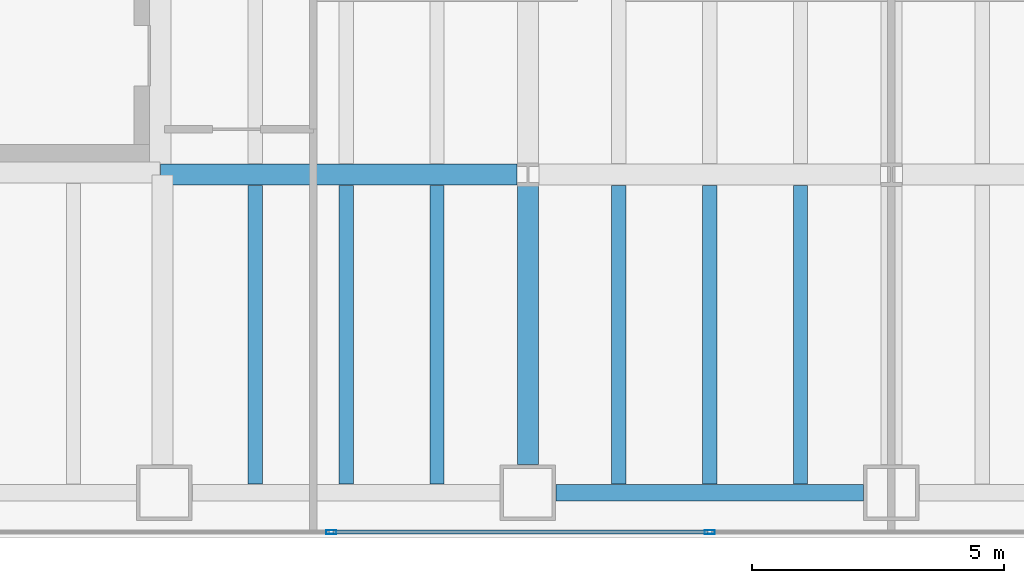
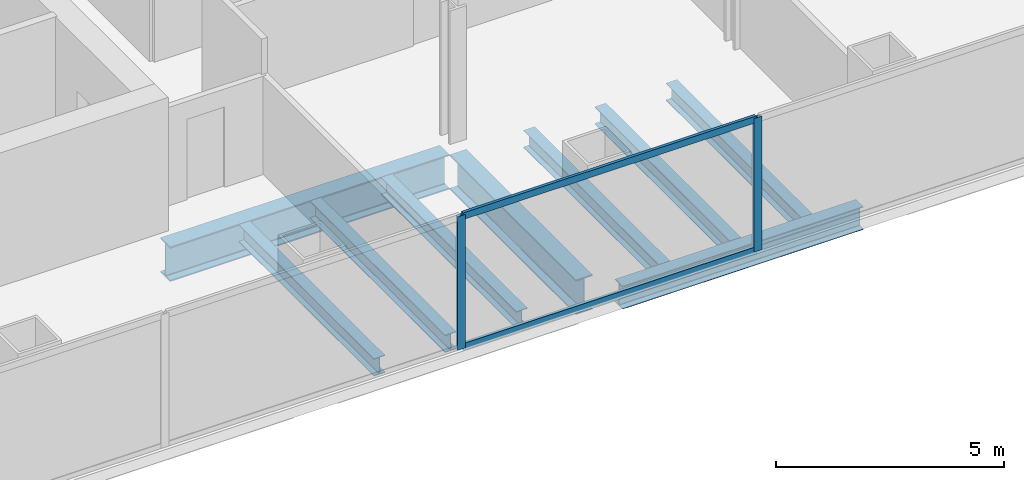
# One storey, part 4 of 23: 9 beams, 4 members, 1 element without a shape of its own.
"""IFC4 building model written with IfcOpenShell, lengths in metres."""

from ifc_helpers import new_model, si_unit, direction, frame, origin, origin_2d, place, context, subcontext, project, spatial, hollow_rectangle, i_section, extrude, material, material_profile, profile_set, type_object, element, aggregate, save


model = new_model("IFC4")

# Units and contexts
model_context = context("Model", 3, precision=1e-05, world=origin(), true_north=direction((0.0, 1.0)))
body_context = subcontext(model_context, "Body", "Model", "MODEL_VIEW")
ifc_project = project(units=[si_unit("LENGTHUNIT", "METRE"), si_unit("AREAUNIT", "SQUARE_METRE"), si_unit("VOLUMEUNIT", "CUBIC_METRE"), si_unit("PLANEANGLEUNIT", "RADIAN"), si_unit("MASSUNIT", "GRAM", prefix="KILO")], contexts=[model_context])

# Site, building, storey
site_placement = place(None, origin())
site = spatial("IfcSite", under=ifc_project, at=site_placement, CompositionType="ELEMENT")
building_placement = place(site_placement, origin())
building = spatial("IfcBuilding", under=site, at=building_placement, Name="Cobrela Telecom Tower", CompositionType="ELEMENT")
storey_placement = place(building_placement, frame((0.0, 0.0, 38.85009765625)))
storey = spatial("IfcBuildingStorey", under=building, at=storey_placement, Name="L09", CompositionType="ELEMENT", Elevation=38.85009765625)

# Beams
ifc_material_1 = material(Name="Steel ASTM A992 Grade 50", Category="steel")
ifc_material_profile_1 = material_profile(ifc_material_1, i_section(OverallWidth=0.4189453125, OverallDepth=0.927001953125, WebThickness=0.019287109375, FlangeThickness=0.031982421875, FilletRadius=0.02392578125, at=origin_2d()), Name="W36X231")
ifc_profile_set_1 = profile_set([ifc_material_profile_1], Name="Steel ASTM A992 Grade 50")
beam_type_1 = type_object("IfcBeamType", Name="BM-GIRD-02", PredefinedType="USERDEFINED", material=ifc_profile_set_1)
beam_1_placement = place(storey_placement, frame((14.324951171875, 7.199951171875, -0.74365234375), z_axis=(1.0, 0.0, 0.0), x_axis=(0.0, 1.0, 0.0)))
element("IfcBeam", 1, at=beam_1_placement, inside=storey, type_object=beam_type_1, Name="L09 Primary Girder X08", ObjectType="GIRDER", PredefinedType="USERDEFINED", context=body_context, shape_type="SweptSolid", body=[
    extrude(i_section(OverallWidth=0.4189453125, OverallDepth=0.927001953125, WebThickness=0.019287109375, FlangeThickness=0.031982421875, FilletRadius=0.02392578125, at=origin_2d()), origin(), (0.0, 0.0, 1.0), 7.05908203125),
])
beam_2_placement = place(storey_placement, frame((21.60009765625, 1.455078125, -0.74365234375), z_axis=(0.0, 1.0, 0.0), x_axis=(-1.0, 0.0, 0.0)))
element("IfcBeam", 2, at=beam_2_placement, inside=storey, type_object=beam_type_1, Name="L09 Primary Girder Y40", ObjectType="GIRDER", PredefinedType="USERDEFINED", context=body_context, shape_type="SweptSolid", body=[
    extrude(i_section(OverallWidth=0.4189453125, OverallDepth=0.927001953125, WebThickness=0.019287109375, FlangeThickness=0.031982421875, FilletRadius=0.02392578125, at=origin_2d()), origin(), (0.0, 0.0, 1.0), 5.52880859375),
])
ifc_material_profile_2 = material_profile(ifc_material_1, i_section(OverallWidth=0.281982421875, OverallDepth=0.467041015625, WebThickness=0.01220703125, FlangeThickness=0.01953125, FilletRadius=0.012939453125, at=origin_2d()), Name="W18X86")
ifc_profile_set_2 = profile_set([ifc_material_profile_2], Name="Steel ASTM A992 Grade 50")
beam_type_2 = type_object("IfcBeamType", Name="BM-JOIST-02", PredefinedType="JOIST", material=ifc_profile_set_2)
for number, where, z_axis, x_axis, name in (
    (3, (16.199951171875, 1.0673828125, -0.513671875), (0.0, 1.0, 0.0), (-1.0, 0.0, 0.0), "L09 Secondary Composite Floor Beam J07"),
    (4, (18.0, 1.0673828125, -0.513671875), (0.0, 1.0, 0.0), (-1.0, 0.0, 0.0), "L09 Secondary Composite Floor Beam J13"),
    (5, (19.800048828125, 1.0673828125, -0.513671875), (0.0, 1.0, 0.0), (-1.0, 0.0, 0.0), "L09 Secondary Composite Floor Beam J19"),
    (6, (23.39990234375, 1.0673828125, -0.513671875), (0.0, 1.0, 0.0), (-1.0, 0.0, 0.0), "L09 Secondary Composite Floor Beam J25"),
    (7, (25.199951171875, 1.0673828125, -0.513671875), (0.0, 1.0, 0.0), (-1.0, 0.0, 0.0), "L09 Secondary Composite Floor Beam J31"),
    (8, (27.0, 1.0673828125, -0.513671875), (0.0, 1.0, 0.0), (-1.0, 0.0, 0.0), "L09 Secondary Composite Floor Beam J36"),
):
    element("IfcBeam", number, at=place(storey_placement, frame(where, z_axis=z_axis, x_axis=x_axis)), inside=storey, type_object=beam_type_2, Name=name, PredefinedType="JOIST", context=body_context, shape_type="SweptSolid", body=[
        extrude(i_section(OverallWidth=0.281982421875, OverallDepth=0.467041015625, WebThickness=0.01220703125, FlangeThickness=0.01953125, FilletRadius=0.012939453125, at=origin_2d()), origin(), (0.0, 0.0, 1.0), 5.918212890625),
    ])
ifc_material_profile_3 = material_profile(ifc_material_1, i_section(OverallWidth=0.324951171875, OverallDepth=0.612060546875, WebThickness=0.0126953125, FlangeThickness=0.01904296875, FilletRadius=0.014892578125, at=origin_2d()), Name="W24X104")
ifc_profile_set_3 = profile_set([ifc_material_profile_3], Name="Steel ASTM A992 Grade 50")
beam_type_3 = type_object("IfcBeamType", Name="BM-SPAND-02", PredefinedType="SPANDREL", material=ifc_profile_set_3)
beam_3_placement = place(storey_placement, frame((22.155029296875, 0.89990234375, -0.586181640625), z_axis=(1.0, 0.0, 0.0), x_axis=(0.0, 1.0, 0.0)))
element("IfcBeam", 9, at=beam_3_placement, inside=storey, type_object=beam_type_3, Name="L09 Perimeter Spandrel X03", PredefinedType="SPANDREL", context=body_context, shape_type="SweptSolid", body=[
    extrude(i_section(OverallWidth=0.324951171875, OverallDepth=0.612060546875, WebThickness=0.0126953125, FlangeThickness=0.01904296875, FilletRadius=0.014892578125, at=origin_2d()), origin(), (0.0, 0.0, 1.0), 6.090087890625),
])

# Curtain wall, members
ifc_material_2 = material(Name="Anodized Bronze Aluminium 6063-T6", Category="aluminium")
curtain_wall_type = type_object("IfcCurtainWallType", Name="CW-SYS-DATA", PredefinedType="USERDEFINED", material=ifc_material_2)
curtain_wall_placement = place(storey_placement, origin())
curtain_wall = element("IfcCurtainWall", 10, at=curtain_wall_placement, inside=storey, type_object=curtain_wall_type, Name="L09 Unitised Bronze Curtain Wall 17", ObjectType="UNITISED CURTAIN WALL", PredefinedType="USERDEFINED")
ifc_material_profile_4 = material_profile(ifc_material_2, hollow_rectangle(XDim=0.080078125, YDim=0.199951171875, WallThickness=0.00390625, at=origin_2d()), Name="ALU 80x200x4")
ifc_profile_set_4 = profile_set([ifc_material_profile_4], Name="Anodized Bronze Aluminium 6063-T6")
member_type_1 = type_object("IfcMemberType", Name="CW-SYS-DATA-MUL", PredefinedType="MULLION", material=ifc_profile_set_4)
member_1_placement = place(storey_placement, frame((25.199951171875, 0.1201171875, 0.0), z_axis=(0.0, 0.0, 1.0), x_axis=(0.0, -1.0, 0.0)))
member_1 = element("IfcMember", 11, at=member_1_placement, type_object=member_type_1, Name="CW-DATA mullion 4", PredefinedType="MULLION", context=body_context, shape_type="SweptSolid", body=[
    extrude(hollow_rectangle(XDim=0.080078125, YDim=0.199951171875, WallThickness=0.00390625, at=origin_2d()), origin(), (0.0, 0.0, 1.0), 3.56982421875),
])
member_2_placement = place(storey_placement, frame((17.703369140625, 0.1201171875, 0.0), z_axis=(0.0, 0.0, 1.0), x_axis=(0.0, -1.0, 0.0)))
member_2 = element("IfcMember", 12, at=member_2_placement, type_object=member_type_1, Name="CW-DATA mullion 5", PredefinedType="MULLION", context=body_context, shape_type="SweptSolid", body=[
    extrude(hollow_rectangle(XDim=0.080078125, YDim=0.199951171875, WallThickness=0.00390625, at=origin_2d()), origin(), (0.0, 0.0, 1.0), 3.56982421875),
])
ifc_material_profile_5 = material_profile(ifc_material_2, hollow_rectangle(XDim=0.074951171875, YDim=0.179931640625, WallThickness=0.00390625, at=origin_2d()), Name="ALU 75x180x4")
ifc_profile_set_5 = profile_set([ifc_material_profile_5], Name="Anodized Bronze Aluminium 6063-T6")
member_type_2 = type_object("IfcMemberType", Name="CW-SYS-DATA-TRN", PredefinedType="USERDEFINED", material=ifc_profile_set_5)
member_3_placement = place(storey_placement, frame((25.159912109375, 0.1201171875, 0.037353515625), z_axis=(-1.0, 0.0, 0.0), x_axis=(0.0, -1.0, 0.0)))
member_3 = element("IfcMember", 13, at=member_3_placement, type_object=member_type_2, Name="CW-DATA transom 4.1", ObjectType="TRANSOM", PredefinedType="USERDEFINED", context=body_context, shape_type="SweptSolid", body=[
    extrude(hollow_rectangle(XDim=0.074951171875, YDim=0.179931640625, WallThickness=0.00390625, at=origin_2d()), origin(), (0.0, 0.0, 1.0), 7.41650390625),
])
member_4_placement = place(storey_placement, frame((25.159912109375, 0.1201171875, 3.532470703125), z_axis=(-1.0, 0.0, 0.0), x_axis=(0.0, -1.0, 0.0)))
member_4 = element("IfcMember", 14, at=member_4_placement, type_object=member_type_2, Name="CW-DATA transom 4.2", ObjectType="TRANSOM", PredefinedType="USERDEFINED", context=body_context, shape_type="SweptSolid", body=[
    extrude(hollow_rectangle(XDim=0.074951171875, YDim=0.179931640625, WallThickness=0.00390625, at=origin_2d()), origin(), (0.0, 0.0, 1.0), 7.41650390625),
])
aggregate(curtain_wall, [member_1, member_2, member_3, member_4])

save(model, "model.ifc")
